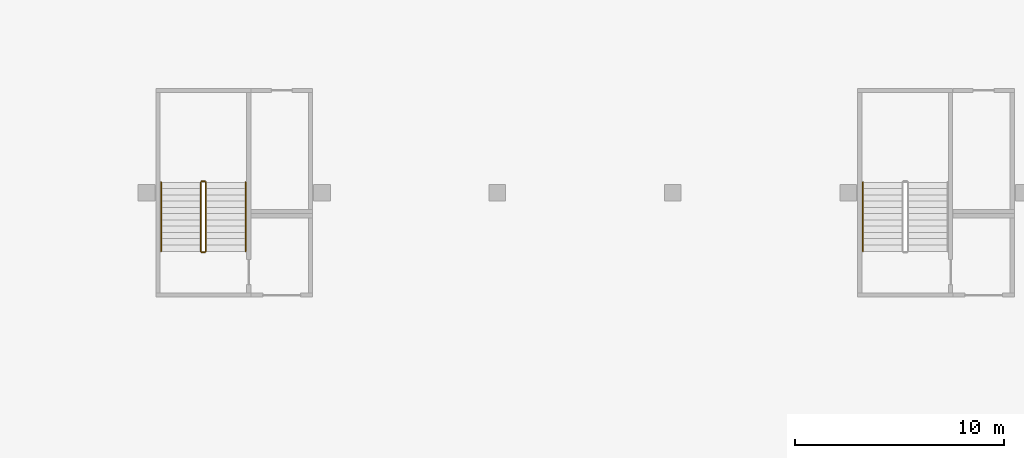
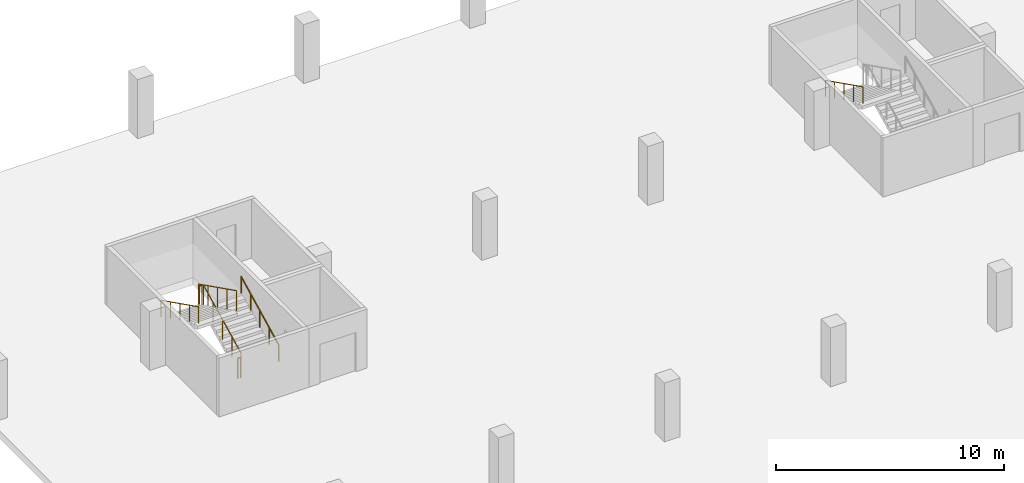
# One storey, part 34 of 37: 7 railings.
"""IFC4 building model written with IfcOpenShell, lengths in metres."""

import ifcopenshell
import ifcopenshell.guid

model = None  # the IFC model being written
_history = None  # IfcOwnerHistory: only IFC2X3 demands one
_inside = {}  # id of a spatial element -> (the spatial element, [elements in it])
_under = {}  # id of a project, library or spatial element -> (it, [spatial elements below it])
_declared = {}  # id of a project -> (the project, [libraries it declares])
_typed = {}  # id of a type object -> (the type object, [elements of that type])
_made_of = {}  # id of a material, layer set ... -> (it, [elements and type objects made of it])


def new_model(schema):
    """Start an empty IFC model of exactly this schema.

    Asked for "IFC4X3", IfcOpenShell would pick the latest addendum, in which some entities
    have other attributes; the version numbers below select the first issue.
    IFC2X3 requires an IfcOwnerHistory on every rooted entity: one is made here for all.
    """
    global model, _history
    if schema == "IFC4X3":
        model = ifcopenshell.file(schema_version=(4, 3, 0, 0))
    else:
        model = ifcopenshell.file(schema=schema)
    _inside.clear()
    _under.clear()
    _declared.clear()
    _typed.clear()
    _made_of.clear()
    _history = None
    if model.schema == "IFC2X3":
        org = make("IfcOrganization", Name="unknown")
        user = make(
            "IfcPersonAndOrganization",
            ThePerson=make("IfcPerson", FamilyName="unknown"),
            TheOrganization=org,
        )
        app = make(
            "IfcApplication",
            ApplicationDeveloper=org,
            Version="unknown",
            ApplicationFullName="unknown",
            ApplicationIdentifier="unknown",
        )
        _history = make(
            "IfcOwnerHistory",
            OwningUser=user,
            OwningApplication=app,
            ChangeAction="ADDED",
            CreationDate=0,
        )
    return model


def make(cls, **values):
    """One entity of the class cls with the attributes given. An attribute that is None is left unset."""
    return model.create_entity(
        cls, **{name: value for name, value in values.items() if value is not None}
    )


def rooted(cls, **values):
    """An entity with a GlobalId (a new one), such as an element, a storey or a relation."""
    return make(cls, GlobalId=ifcopenshell.guid.new(), OwnerHistory=_history, **values)


def si_unit(unit_type, name, prefix=None):
    """IfcSIUnit, for example si_unit("LENGTHUNIT", "METRE", prefix="MILLI")."""
    return make("IfcSIUnit", UnitType=unit_type, Prefix=prefix, Name=name)


def assignment(units):
    """IfcUnitAssignment: the units of a project."""
    return None if units is None else make("IfcUnitAssignment", Units=units)


def point(xyz):
    """IfcCartesianPoint."""
    return None if xyz is None else make("IfcCartesianPoint", Coordinates=xyz)


def direction(xyz):
    """IfcDirection."""
    return None if xyz is None else make("IfcDirection", DirectionRatios=xyz)


def frame(location, z_axis=None, x_axis=None):
    """IfcAxis2Placement3D, a coordinate frame: its origin and axes. An axis left out is left unset."""
    return make(
        "IfcAxis2Placement3D",
        Location=point(location),
        Axis=direction(z_axis),
        RefDirection=direction(x_axis),
    )


def frame_2d(location, x_axis=None):
    """IfcAxis2Placement2D, a coordinate frame in the plane: its origin and x axis."""
    return make(
        "IfcAxis2Placement2D", Location=point(location), RefDirection=direction(x_axis)
    )


def origin():
    """The frame at (0, 0, 0) with its axes left unset."""
    return frame((0.0, 0.0, 0.0))


def origin_2d():
    """The frame at (0, 0) in the plane with its x axis left unset."""
    return frame_2d((0.0, 0.0))


def place(relative_to, where):
    """IfcLocalPlacement: puts the frame where relative to a parent placement (None: the world)."""
    return make(
        "IfcLocalPlacement", PlacementRelTo=relative_to, RelativePlacement=where
    )


def context(
    kind, dimensions, precision=None, world=None, true_north=None, identifier=None
):
    """IfcGeometricRepresentationContext, for example the 3D "Model" context."""
    return make(
        "IfcGeometricRepresentationContext",
        ContextIdentifier=identifier,
        ContextType=kind,
        CoordinateSpaceDimension=dimensions,
        Precision=precision,
        WorldCoordinateSystem=world,
        TrueNorth=true_north,
    )


def subcontext(parent, identifier, kind, view, scale=None):
    """IfcGeometricRepresentationSubContext, for example "Body" below "Model"."""
    return make(
        "IfcGeometricRepresentationSubContext",
        ContextIdentifier=identifier,
        ContextType=kind,
        ParentContext=parent,
        TargetScale=scale,
        TargetView=view,
    )


def project(units=None, contexts=None):
    """IfcProject with its units and contexts."""
    return rooted(
        "IfcProject",
        Name="project",
        RepresentationContexts=contexts,
        UnitsInContext=assignment(units),
    )


def spatial(cls, under=None, at=None, **own):
    """A site, building, storey or space (cls), placed at a placement, below another one or the project."""
    s = rooted(cls, ObjectPlacement=at, **own)
    if under is not None:
        _under.setdefault(under.id(), (under, []))[1].append(s)
    return s


def profile(cls, at=None, kind="AREA", **sizes):
    """A parametric profile (cls). Its sizes go by their IFC names, for example OverallWidth=200.0."""
    return make(cls, ProfileType=kind, Position=at, **sizes)


def circle(**sizes):
    """IfcCircleProfileDef."""
    return profile("IfcCircleProfileDef", **sizes)


def extrude(swept, where, along, depth):
    """IfcExtrudedAreaSolid: the profile swept, set in the frame where, extruded along a direction by depth."""
    return make(
        "IfcExtrudedAreaSolid",
        SweptArea=swept,
        Position=where,
        ExtrudedDirection=direction(along),
        Depth=depth,
    )


def shape(context_of_items, identifier, shape_type, items):
    """IfcShapeRepresentation: the items that make up one representation, for example the "Body"."""
    return make(
        "IfcShapeRepresentation",
        ContextOfItems=context_of_items,
        RepresentationIdentifier=identifier,
        RepresentationType=shape_type,
        Items=items,
    )


def material(Name=None, Category=None):
    """IfcMaterial."""
    return make("IfcMaterial", Name=Name, Category=Category)


def made_of(thing, what):
    """Note that an element or type object is made of a material, layer set ...; save() writes the relation."""
    if what is not None:
        _made_of.setdefault(what.id(), (what, []))[1].append(thing)
    return thing


def type_object(cls, material=None, **own):
    """A type object (cls), such as IfcWallType, which elements share."""
    return made_of(rooted(cls, **own), material)


def element(
    cls,
    number,
    at=None,
    inside=None,
    cuts=None,
    type_object=None,
    material=None,
    context=None,
    identifier="Body",
    shape_type=None,
    held_by="IfcProductDefinitionShape",
    body=None,
    shapes=None,
    **own,
):
    """One element of the class cls, such as IfcWall. Its Tag is "e" and its number.

    at: its placement. inside: the storey or other place that contains it. cuts: it is an
    opening in that element (IfcRelVoidsElement). A single representation is given by context,
    identifier, shape_type and body (its items); several are given by shapes. held_by: the class
    of the entity that holds the representations. save() writes the other relations.
    """
    e = rooted(cls, Tag="e%d" % number, ObjectPlacement=at, **own)
    if body is not None:
        shapes = [shape(context, identifier, shape_type, body)]
    if shapes is not None:
        e.Representation = make(held_by, Representations=shapes)
    if inside is not None:
        _inside.setdefault(inside.id(), (inside, []))[1].append(e)
    if cuts is not None:
        rooted(
            "IfcRelVoidsElement", RelatingBuildingElement=cuts, RelatedOpeningElement=e
        )
    if type_object is not None:
        _typed.setdefault(type_object.id(), (type_object, []))[1].append(e)
    return made_of(e, material)


def aggregate(whole, parts):
    """IfcRelAggregates: a whole, such as a stair, and the parts it consists of."""
    return rooted("IfcRelAggregates", RelatingObject=whole, RelatedObjects=parts)


def save(model, path):
    """Write the relations noted so far, then the file.

    IfcRelAggregates (storeys below a building ...), IfcRelContainedInSpatialStructure (elements
    in a storey), IfcRelDefinesByType, IfcRelAssociatesMaterial and IfcRelDeclares: one each for
    every whole, place, type object, material and project.
    """
    for whole, parts in _under.values():
        aggregate(whole, parts)
    for where, things in _inside.values():
        rooted(
            "IfcRelContainedInSpatialStructure",
            RelatedElements=things,
            RelatingStructure=where,
        )
    for kind, things in _typed.values():
        rooted("IfcRelDefinesByType", RelatedObjects=things, RelatingType=kind)
    for what, things in _made_of.values():
        rooted("IfcRelAssociatesMaterial", RelatedObjects=things, RelatingMaterial=what)
    for by, libraries in _declared.values():
        rooted("IfcRelDeclares", RelatingContext=by, RelatedDefinitions=libraries)
    model.write(path)


model = new_model("IFC4")

# Units and contexts
model_context = context("Model", 3, precision=1e-05, world=origin(), true_north=direction((0.0, 1.0)))
body_context = subcontext(model_context, "Body", "Model", "MODEL_VIEW")
ifc_project = project(units=[si_unit("LENGTHUNIT", "METRE"), si_unit("AREAUNIT", "SQUARE_METRE"), si_unit("VOLUMEUNIT", "CUBIC_METRE"), si_unit("PLANEANGLEUNIT", "RADIAN"), si_unit("MASSUNIT", "GRAM", prefix="KILO")], contexts=[model_context])

# Site, building, storey
site_placement = place(None, origin())
site = spatial("IfcSite", under=ifc_project, at=site_placement, CompositionType="ELEMENT")
building_placement = place(site_placement, origin())
building = spatial("IfcBuilding", under=site, at=building_placement, Name="Tamra Quay Hotel Tower", CompositionType="ELEMENT")
storey_placement = place(building_placement, frame((0.0, 0.0, -3.60009765625)))
storey = spatial("IfcBuildingStorey", under=building, at=storey_placement, Name="B1", CompositionType="ELEMENT", Elevation=-3.60009765625)

# Railings
ifc_material_1 = material(Name="Basement stair guard 1100")
railing_type_1 = type_object("IfcRailingType", Name="Basement stair guard 1100", PredefinedType="GUARDRAIL", material=ifc_material_1)
railing_1_placement = place(storey_placement, frame((-111.449951171875, 61.199951171875, 0.150146484375)))
element("IfcRailing", 1, at=railing_1_placement, inside=storey, type_object=railing_type_1, Name="BSG", PredefinedType="GUARDRAIL", context=body_context, shape_type="SweptSolid", body=[
    extrude(circle(Radius=0.02392578125, at=origin_2d()), frame((0.0, 0.0, 1.076171875), z_axis=(0.0, 0.894440424912, 0.447187126696), x_axis=(-1.0, 0.0, 0.0)), (0.0, 0.0, 1.0), 3.689453125),
    extrude(circle(Radius=0.02099609375, at=origin_2d()), origin(), (0.0, 0.0, 1.0), 1.052001953125),
    extrude(circle(Radius=0.02099609375, at=origin_2d()), frame((0.0, 0.824951171875, 0.41259765625)), (0.0, 0.0, 1.0), 1.052001953125),
    extrude(circle(Radius=0.02099609375, at=origin_2d()), frame((0.0, 1.64990234375, 0.824951171875)), (0.0, 0.0, 1.0), 1.052001953125),
    extrude(circle(Radius=0.02099609375, at=origin_2d()), frame((0.0, 2.47509765625, 1.2373046875)), (0.0, 0.0, 1.0), 1.052001953125),
    extrude(circle(Radius=0.02099609375, at=origin_2d()), frame((0.0, 3.300048828125, 1.64990234375)), (0.0, 0.0, 1.0), 1.052001953125),
])
railing_2_placement = place(storey_placement, frame((-111.5, 64.550048828125, 1.800048828125)))
element("IfcRailing", 2, at=railing_2_placement, inside=storey, type_object=railing_type_1, Name="BSG", PredefinedType="GUARDRAIL", context=body_context, shape_type="SweptSolid", body=[
    extrude(circle(Radius=0.02392578125, at=origin_2d()), frame((0.0, 0.0, 1.076171875), z_axis=(-1.0, 0.0, 0.0), x_axis=(0.0, -1.0, 0.0)), (0.0, 0.0, 1.0), 0.14990234375),
    extrude(circle(Radius=0.02099609375, at=origin_2d()), origin(), (0.0, 0.0, 1.0), 1.052001953125),
    extrude(circle(Radius=0.02099609375, at=origin_2d()), frame((-0.14990234375, 0.0, 0.0)), (0.0, 0.0, 1.0), 1.052001953125),
])
railing_3_placement = place(storey_placement, frame((-111.699951171875, 64.5, 1.9501953125)))
element("IfcRailing", 3, at=railing_3_placement, inside=storey, type_object=railing_type_1, Name="BSG", PredefinedType="GUARDRAIL", context=body_context, shape_type="SweptSolid", body=[
    extrude(circle(Radius=0.02392578125, at=origin_2d()), frame((0.0, 0.0, 1.076171875), z_axis=(0.0, -0.894440424912, 0.447187126696), x_axis=(1.0, 0.0, 0.0)), (0.0, 0.0, 1.0), 3.689453125),
    extrude(circle(Radius=0.02099609375, at=origin_2d()), origin(), (0.0, 0.0, 1.0), 1.052001953125),
    extrude(circle(Radius=0.02099609375, at=origin_2d()), frame((0.0, -0.824951171875, 0.41259765625)), (0.0, 0.0, 1.0), 1.052001953125),
    extrude(circle(Radius=0.02099609375, at=origin_2d()), frame((0.0, -1.64990234375, 0.824951171875)), (0.0, 0.0, 1.0), 1.052001953125),
    extrude(circle(Radius=0.02099609375, at=origin_2d()), frame((0.0, -2.47509765625, 1.2373046875)), (0.0, 0.0, 1.0), 1.052001953125),
    extrude(circle(Radius=0.02099609375, at=origin_2d()), frame((0.0, -3.300048828125, 1.64990234375)), (0.0, 0.0, 1.0), 1.052001953125),
])
railing_4_placement = place(storey_placement, frame((-111.5, 61.14990234375, 0.0)))
element("IfcRailing", 4, at=railing_4_placement, inside=storey, type_object=railing_type_1, Name="BSG", PredefinedType="GUARDRAIL", context=body_context, shape_type="SweptSolid", body=[
    extrude(circle(Radius=0.02392578125, at=origin_2d()), frame((0.0, 0.0, 1.076171875), z_axis=(-1.0, 0.0, 0.0), x_axis=(0.0, -1.0, 0.0)), (0.0, 0.0, 1.0), 0.14990234375),
    extrude(circle(Radius=0.02099609375, at=origin_2d()), origin(), (0.0, 0.0, 1.0), 1.052001953125),
    extrude(circle(Radius=0.02099609375, at=origin_2d()), frame((-0.14990234375, 0.0, 0.0)), (0.0, 0.0, 1.0), 1.052001953125),
])
ifc_material_2 = material(Name="Basement stair handrail 900")
railing_type_2 = type_object("IfcRailingType", Name="Basement stair handrail 900", PredefinedType="HANDRAIL", material=ifc_material_2)
railing_5_placement = place(storey_placement, frame((-109.550048828125, 61.199951171875, 0.150146484375)))
element("IfcRailing", 5, at=railing_5_placement, inside=storey, type_object=railing_type_2, Name="BSH", PredefinedType="HANDRAIL", context=body_context, shape_type="SweptSolid", body=[
    extrude(circle(Radius=0.02392578125, at=origin_2d()), frame((0.0, 0.0, 0.8759765625), z_axis=(0.0, 0.894440424912, 0.447187126696), x_axis=(-1.0, 0.0, 0.0)), (0.0, 0.0, 1.0), 3.689453125),
    extrude(circle(Radius=0.02099609375, at=origin_2d()), origin(), (0.0, 0.0, 1.0), 0.851806640625),
    extrude(circle(Radius=0.02099609375, at=origin_2d()), frame((0.0, 0.824951171875, 0.41259765625)), (0.0, 0.0, 1.0), 0.851806640625),
    extrude(circle(Radius=0.02099609375, at=origin_2d()), frame((0.0, 1.64990234375, 0.824951171875)), (0.0, 0.0, 1.0), 0.851806640625),
    extrude(circle(Radius=0.02099609375, at=origin_2d()), frame((0.0, 2.47509765625, 1.2373046875)), (0.0, 0.0, 1.0), 0.851806640625),
    extrude(circle(Radius=0.02099609375, at=origin_2d()), frame((0.0, 3.300048828125, 1.64990234375)), (0.0, 0.0, 1.0), 0.851806640625),
])
for number, where, name in (
    (6, (-113.60009765625, 64.5, 1.9501953125), "BSH"),
    (7, (-80.0, 64.5, 1.9501953125), "BSH"),
):
    element("IfcRailing", number, at=place(storey_placement, frame(where)), inside=storey, type_object=railing_type_2, Name=name, PredefinedType="HANDRAIL", context=body_context, shape_type="SweptSolid", body=[
        extrude(circle(Radius=0.02392578125, at=origin_2d()), frame((0.0, 0.0, 0.8759765625), z_axis=(0.0, -0.894440424912, 0.447187126696), x_axis=(1.0, 0.0, 0.0)), (0.0, 0.0, 1.0), 3.689453125),
        extrude(circle(Radius=0.02099609375, at=origin_2d()), origin(), (0.0, 0.0, 1.0), 0.851806640625),
        extrude(circle(Radius=0.02099609375, at=origin_2d()), frame((0.0, -0.824951171875, 0.41259765625)), (0.0, 0.0, 1.0), 0.851806640625),
        extrude(circle(Radius=0.02099609375, at=origin_2d()), frame((0.0, -1.64990234375, 0.824951171875)), (0.0, 0.0, 1.0), 0.851806640625),
        extrude(circle(Radius=0.02099609375, at=origin_2d()), frame((0.0, -2.47509765625, 1.2373046875)), (0.0, 0.0, 1.0), 0.851806640625),
        extrude(circle(Radius=0.02099609375, at=origin_2d()), frame((0.0, -3.300048828125, 1.64990234375)), (0.0, 0.0, 1.0), 0.851806640625),
    ])

save(model, "model.ifc")
